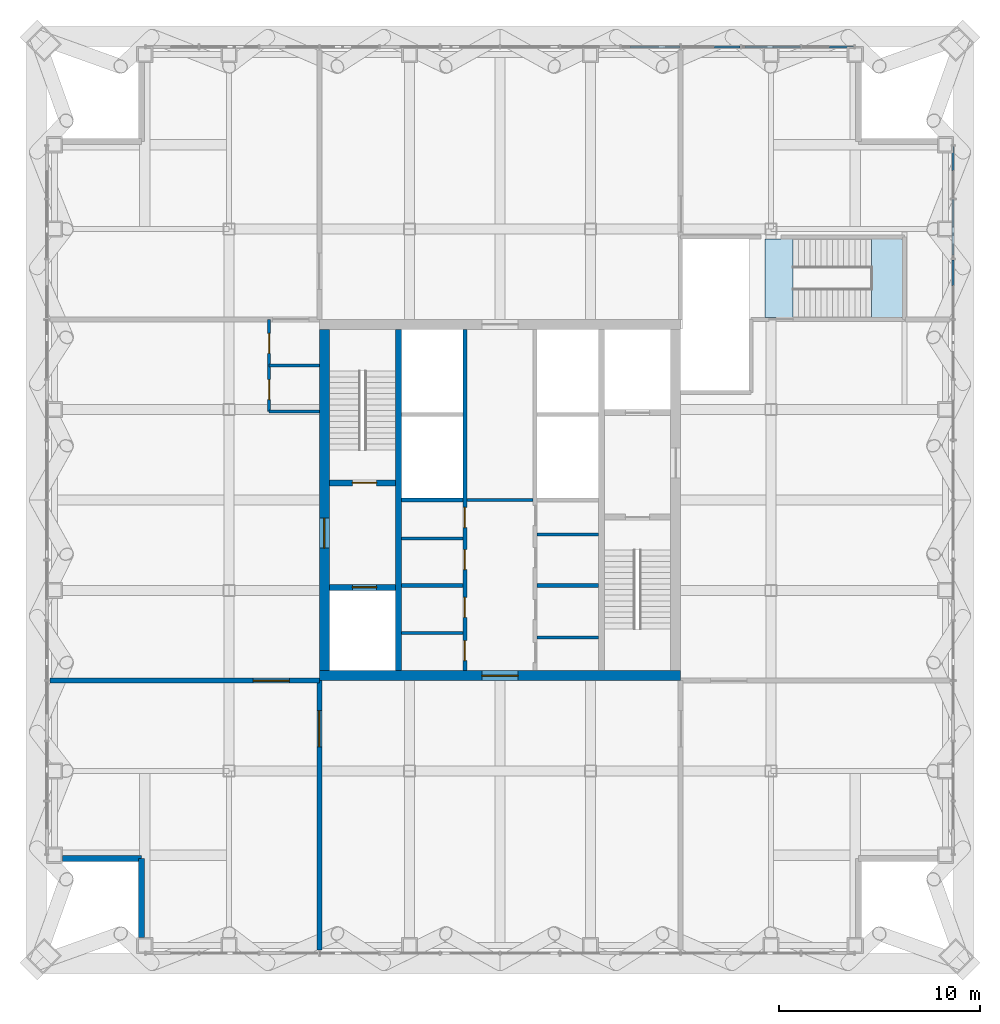
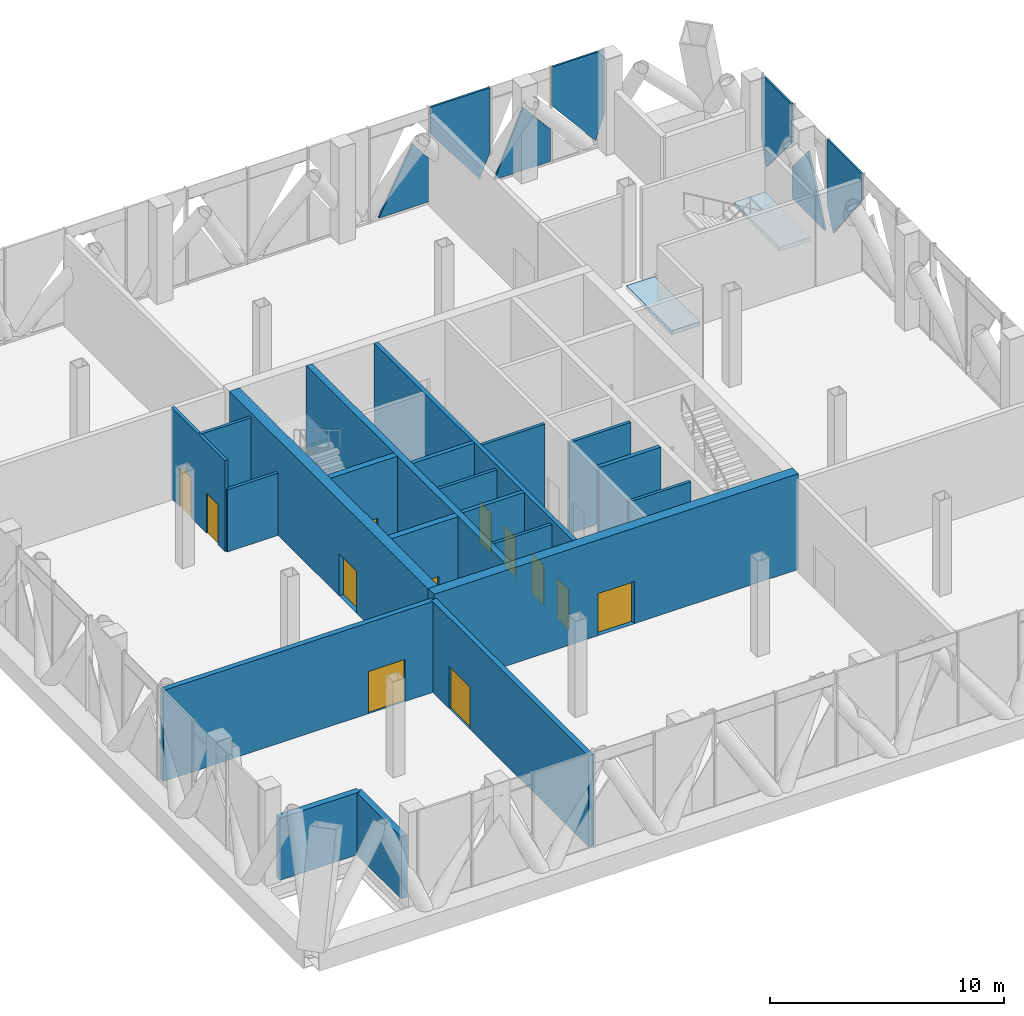
# One storey, part 14 of 27: 21 walls, 12 doors, 7 plates, 2 slabs, 12 openings, 3 elements without a shape of their own.
"""IFC4 building model written with IfcOpenShell, lengths in metres."""

from ifc_helpers import new_model, si_unit, direction, frame, frame_2d, origin, place, context, subcontext, project, spatial, polyline, rectangle, outline, extrude, material, layer, layer_set, type_object, element, fill, aggregate, save


model = new_model("IFC4")

# Units and contexts
model_context = context("Model", 3, precision=1e-05, world=origin(), true_north=direction((0.0, 1.0)))
body_context = subcontext(model_context, "Body", "Model", "MODEL_VIEW")
ifc_project = project(units=[si_unit("LENGTHUNIT", "METRE"), si_unit("AREAUNIT", "SQUARE_METRE"), si_unit("VOLUMEUNIT", "CUBIC_METRE"), si_unit("PLANEANGLEUNIT", "RADIAN"), si_unit("MASSUNIT", "GRAM", prefix="KILO")], contexts=[model_context])

# Site, building, storey
site_placement = place(None, origin())
site = spatial("IfcSite", under=ifc_project, at=site_placement, CompositionType="ELEMENT")
building_placement = place(site_placement, origin())
building = spatial("IfcBuilding", under=site, at=building_placement, Name="Malebo Sky Hospital", CompositionType="ELEMENT")
storey_placement = place(building_placement, frame((0.0, 0.0, 245.0)))
storey = spatial("IfcBuildingStorey", under=building, at=storey_placement, Name="L59", CompositionType="ELEMENT", Elevation=245.0)

# Curtain wall, plates
ifc_material_1 = material(Name="Anodised aluminium, natural silver", Category="aluminium")
ifc_layer_1 = layer(ifc_material_1, 0.25)
ifc_layer_set_1 = layer_set([ifc_layer_1], Name="PLANT LOUVRE SCREEN")
curtain_wall_type = type_object("IfcCurtainWallType", Name="PLANT LOUVRE SCREEN", PredefinedType="NOTDEFINED", material=ifc_layer_set_1)
curtain_wall_1_placement = place(storey_placement, origin())
curtain_wall_1 = element("IfcCurtainWall", 1, at=curtain_wall_1_placement, inside=storey, type_object=curtain_wall_type, Name="PLANT curtain wall N", PredefinedType="NOTDEFINED")
ifc_layer_2 = layer(ifc_material_1, 0.10009765625)
ifc_layer_set_2 = layer_set([ifc_layer_2], Name="LOUVRE PANEL 100")
plate_type = type_object("IfcPlateType", Name="LOUVRE PANEL 100", PredefinedType="CURTAIN_PANEL", material=ifc_layer_set_2)
plate_1_placement = place(storey_placement, frame((67.7255859375, 84.574951171875, 0.10009765625), z_axis=(0.0, 0.0, 1.0), x_axis=(1.0, 0.0, 0.0)))
plate_1 = element("IfcPlate", 2, at=plate_1_placement, type_object=plate_type, Name="Panel 9", PredefinedType="CURTAIN_PANEL", context=body_context, shape_type="SweptSolid", body=[
    extrude(outline(polyline([(-1.237060546875, 0.0), (1.237060546875, 0.0), (1.237060546875, 2.235107421875), (0.44140625, 3.2841796875), (-1.237060546875, 0.0)])), frame((0.0, 0.050048828125, 0.0), z_axis=(0.0, -1.0, 0.0), x_axis=(1.0, 0.0, 0.0)), (0.0, 0.0, 1.0), 0.10009765625),
])
plate_2_placement = place(storey_placement, frame((70.5, 84.574951171875, 0.40185546875), z_axis=(0.0, 0.0, 1.0), x_axis=(1.0, 0.0, 0.0)))
plate_2 = element("IfcPlate", 3, at=plate_2_placement, type_object=plate_type, Name="Panel 10", PredefinedType="CURTAIN_PANEL", context=body_context, shape_type="SweptSolid", body=[
    extrude(outline(polyline([(0.955810546875, 0.0), (1.46240234375, 1.18212890625), (1.46240234375, 4.588134765625), (-1.46240234375, 4.588134765625), (-1.46240234375, 3.189208984375), (0.955810546875, 0.0)])), frame((0.0, 0.050048828125, 0.0), z_axis=(0.0, -1.0, 0.0), x_axis=(1.0, 0.0, 0.0)), (0.0, 0.0, 1.0), 0.10009765625),
])
plate_3_placement = place(storey_placement, frame((73.582275390625, 84.574951171875, 0.10009765625), z_axis=(0.0, 0.0, 1.0), x_axis=(1.0, 0.0, 0.0)))
plate_3 = element("IfcPlate", 4, at=plate_3_placement, type_object=plate_type, Name="Panel 11", PredefinedType="CURTAIN_PANEL", context=body_context, shape_type="SweptSolid", body=[
    extrude(outline(polyline([(-1.380126953125, 0.0), (1.380126953125, 0.0), (1.380126953125, 1.67626953125), (0.027587890625, 3.284912109375), (-1.380126953125, 0.0)])), frame((0.0, 0.050048828125, 0.0), z_axis=(0.0, -1.0, 0.0), x_axis=(1.0, 0.0, 0.0)), (0.0, 0.0, 1.0), 0.10009765625),
])
plate_4_placement = place(storey_placement, frame((76.331298828125, 84.574951171875, 0.39794921875), z_axis=(0.0, 0.0, 1.0), x_axis=(1.0, 0.0, 0.0)))
plate_4 = element("IfcPlate", 5, at=plate_4_placement, type_object=plate_type, Name="Panel 12", PredefinedType="CURTAIN_PANEL", context=body_context, shape_type="SweptSolid", body=[
    extrude(outline(polyline([(0.85595703125, 0.0), (1.293701171875, 1.2646484375), (1.293701171875, 4.592041015625), (-1.293701171875, 4.592041015625), (-1.293701171875, 2.55712890625), (0.85595703125, 0.0)])), frame((0.0, 0.050048828125, 0.0), z_axis=(0.0, -1.0, 0.0), x_axis=(1.0, 0.0, 0.0)), (0.0, 0.0, 1.0), 0.10009765625),
])
aggregate(curtain_wall_1, [plate_1, plate_2, plate_3, plate_4])

curtain_wall_2_placement = place(storey_placement, origin())
curtain_wall_2 = element("IfcCurtainWall", 6, at=curtain_wall_2_placement, inside=storey, type_object=curtain_wall_type, Name="PLANT curtain wall E", PredefinedType="NOTDEFINED")
plate_5_placement = place(storey_placement, frame((82.574951171875, 78.331298828125, 0.39794921875), z_axis=(0.0, 0.0, 1.0), x_axis=(0.0, -1.0, 0.0)))
plate_5 = element("IfcPlate", 7, at=plate_5_placement, type_object=plate_type, Name="Panel 1", PredefinedType="CURTAIN_PANEL", context=body_context, shape_type="SweptSolid", body=[
    extrude(outline(polyline([(-0.85595703125, 0.0), (1.293701171875, 2.55712890625), (1.293701171875, 4.592041015625), (-1.293701171875, 4.592041015625), (-1.293701171875, 1.2646484375), (-0.85595703125, 0.0)])), frame((0.0, 0.050048828125, 0.0), z_axis=(0.0, -1.0, 0.0), x_axis=(1.0, 0.0, 0.0)), (0.0, 0.0, 1.0), 0.10009765625),
])
plate_6_placement = place(storey_placement, frame((82.574951171875, 75.582275390625, 0.10009765625), z_axis=(0.0, 0.0, 1.0), x_axis=(0.0, -1.0, 0.0)))
plate_6 = element("IfcPlate", 8, at=plate_6_placement, type_object=plate_type, Name="Panel 2", PredefinedType="CURTAIN_PANEL", context=body_context, shape_type="SweptSolid", body=[
    extrude(outline(polyline([(-1.380126953125, 0.0), (1.380126953125, 0.0), (-0.027587890625, 3.284912109375), (-1.380126953125, 1.67626953125), (-1.380126953125, 0.0)])), frame((0.0, 0.050048828125, 0.0), z_axis=(0.0, -1.0, 0.0), x_axis=(1.0, 0.0, 0.0)), (0.0, 0.0, 1.0), 0.10009765625),
])
plate_7_placement = place(storey_placement, frame((82.574951171875, 72.5, 0.40185546875), z_axis=(0.0, 0.0, 1.0), x_axis=(0.0, -1.0, 0.0)))
plate_7 = element("IfcPlate", 9, at=plate_7_placement, type_object=plate_type, Name="Panel 3", PredefinedType="CURTAIN_PANEL", context=body_context, shape_type="SweptSolid", body=[
    extrude(outline(polyline([(-0.955810546875, 0.0), (1.46240234375, 3.189208984375), (1.46240234375, 4.588134765625), (-1.46240234375, 4.588134765625), (-1.46240234375, 1.18212890625), (-0.955810546875, 0.0)])), frame((0.0, 0.050048828125, 0.0), z_axis=(0.0, -1.0, 0.0), x_axis=(1.0, 0.0, 0.0)), (0.0, 0.0, 1.0), 0.10009765625),
])
aggregate(curtain_wall_2, [plate_5, plate_6, plate_7])

# Stair, slabs
ifc_material_2 = material(Name="Concrete C40/50", Category="concrete")
stair_type = type_object("IfcStairType", Name="HALF-TURN STAIR 1400 R167", PredefinedType="HALF_TURN_STAIR", material=ifc_material_2)
stair_placement = place(storey_placement, origin())
stair = element("IfcStair", 10, at=stair_placement, inside=storey, type_object=stair_type, Name="Stair S3 L59 type ST1B", PredefinedType="HALF_TURN_STAIR")
ifc_layer_3 = layer(ifc_material_2, 0.199951171875)
ifc_layer_set_3 = layer_set([ifc_layer_3], Name="STAIR LANDING 200")
slab_type = type_object("IfcSlabType", Name="STAIR LANDING 200", PredefinedType="LANDING", material=ifc_layer_set_3)
slab_1_placement = place(storey_placement, frame((0.0, 0.0, -0.199951171875)))
slab_1 = element("IfcSlab", 11, at=slab_1_placement, type_object=slab_type, Name="S3 landing 1", PredefinedType="LANDING", context=body_context, shape_type="SweptSolid", body=[
    extrude(outline(polyline([(73.199951171875, 71.10009765625), (73.199951171875, 75.0), (74.60009765625, 75.0), (74.60009765625, 71.10009765625), (73.199951171875, 71.10009765625)])), origin(), (0.0, 0.0, 1.0), 0.199951171875),
])
slab_2_placement = place(storey_placement, frame((0.0, 0.0, 2.300048828125)))
slab_2 = element("IfcSlab", 12, at=slab_2_placement, type_object=slab_type, Name="S3 landing 2", PredefinedType="LANDING", context=body_context, shape_type="SweptSolid", body=[
    extrude(outline(polyline([(78.52001953125, 71.10009765625), (78.52001953125, 75.0), (80.050048828125, 75.0), (80.050048828125, 71.10009765625), (78.52001953125, 71.10009765625)])), origin(), (0.0, 0.0, 1.0), 0.199951171875),
])
aggregate(stair, [slab_1, slab_2])

# Wall, openings, doors
ifc_material_3 = material(Name="Concrete C80/95", Category="concrete")
ifc_layer_4 = layer(ifc_material_3, 0.199951171875)
ifc_layer_set_4 = layer_set([ifc_layer_4], Name="CORE INNER WALL 200")
wall_type_1 = type_object("IfcWallType", Name="CORE INNER WALL 200", PredefinedType="SHEAR", material=ifc_layer_set_4)
wall_1_placement = place(storey_placement, frame((58.25, 53.5, 0.0), z_axis=(0.0, 0.0, 1.0), x_axis=(0.0, 1.0, 0.0)))
wall_1 = element("IfcWall", 13, at=wall_1_placement, inside=storey, type_object=wall_type_1, Name="Core wall LW L59", PredefinedType="SHEAR", context=body_context, shape_type="SweptSolid", body=[
    extrude(rectangle(XDim=17.0, YDim=0.199951171875, at=frame_2d((8.5, 0.0))), origin(), (0.0, 0.0, 1.0), 5.0),
])
opening_1_placement = place(wall_1_placement, frame((0.49609375, 0.0, 0.0)))
opening_1 = element("IfcOpeningElement", 14, at=opening_1_placement, cuts=wall_1, Name="Opening D17", PredefinedType="OPENING", context=body_context, shape_type="SweptSolid", body=[
    extrude(rectangle(XDim=1.0, YDim=2.10009765625, at=frame_2d((0.5, 1.050048828125))), frame((0.0, 0.10986328125, 0.0), z_axis=(0.0, -1.0, 0.0), x_axis=(1.0, 0.0, 0.0)), (0.0, 0.0, 1.0), 0.219970703125),
])
opening_2_placement = place(wall_1_placement, frame((2.64599609375, 0.0, 0.0)))
opening_2 = element("IfcOpeningElement", 15, at=opening_2_placement, cuts=wall_1, Name="Opening D17", PredefinedType="OPENING", context=body_context, shape_type="SweptSolid", body=[
    extrude(rectangle(XDim=1.0, YDim=2.10009765625, at=frame_2d((0.5, 1.050048828125))), frame((0.0, 0.10986328125, 0.0), z_axis=(0.0, -1.0, 0.0), x_axis=(1.0, 0.0, 0.0)), (0.0, 0.0, 1.0), 0.219970703125),
])
opening_3_placement = place(wall_1_placement, frame((5.026611328125, 0.0, 0.0)))
opening_3 = element("IfcOpeningElement", 16, at=opening_3_placement, cuts=wall_1, Name="Opening D17", PredefinedType="OPENING", context=body_context, shape_type="SweptSolid", body=[
    extrude(rectangle(XDim=1.0, YDim=2.10009765625, at=frame_2d((0.5, 1.050048828125))), frame((0.0, 0.10986328125, 0.0), z_axis=(0.0, -1.0, 0.0), x_axis=(1.0, 0.0, 0.0)), (0.0, 0.0, 1.0), 0.219970703125),
])
opening_4_placement = place(wall_1_placement, frame((7.12646484375, 0.0, 0.0)))
opening_4 = element("IfcOpeningElement", 17, at=opening_4_placement, cuts=wall_1, Name="Opening D17", PredefinedType="OPENING", context=body_context, shape_type="SweptSolid", body=[
    extrude(rectangle(XDim=1.0, YDim=2.10009765625, at=frame_2d((0.5, 1.050048828125))), frame((0.0, 0.10986328125, 0.0), z_axis=(0.0, -1.0, 0.0), x_axis=(1.0, 0.0, 0.0)), (0.0, 0.0, 1.0), 0.219970703125),
])
ifc_material_4 = material(Name="Hardwood-faced door leaf in steel frame", Category="steel")
door_type_1 = type_object("IfcDoorType", Name="FIRE DOOR 1000", OperationType="SINGLE_SWING_LEFT", PredefinedType="DOOR", material=ifc_material_4)
door_1_placement = place(opening_1_placement, origin())
door_1 = element("IfcDoor", 18, at=door_1_placement, inside=storey, type_object=door_type_1, Name="Duct riser room door", OperationType="SINGLE_SWING_RIGHT", OverallHeight=2.10009765625, OverallWidth=1.0, PredefinedType="DOOR", context=body_context, shape_type="SweptSolid", body=[
    extrude(rectangle(XDim=1.0, YDim=2.10009765625, at=frame_2d((0.5, 1.050048828125))), frame((0.0, 0.02490234375, 0.0), z_axis=(0.0, -1.0, 0.0), x_axis=(1.0, 0.0, 0.0)), (0.0, 0.0, 1.0), 0.050048828125),
])
fill(opening_1, door_1)
door_2_placement = place(opening_2_placement, origin())
door_2 = element("IfcDoor", 19, at=door_2_placement, inside=storey, type_object=door_type_1, Name="Pipe riser room door", OperationType="SINGLE_SWING_RIGHT", OverallHeight=2.10009765625, OverallWidth=1.0, PredefinedType="DOOR", context=body_context, shape_type="SweptSolid", body=[
    extrude(rectangle(XDim=1.0, YDim=2.10009765625, at=frame_2d((0.5, 1.050048828125))), frame((0.0, 0.02490234375, 0.0), z_axis=(0.0, -1.0, 0.0), x_axis=(1.0, 0.0, 0.0)), (0.0, 0.0, 1.0), 0.050048828125),
])
fill(opening_2, door_2)
door_3_placement = place(opening_3_placement, origin())
door_3 = element("IfcDoor", 20, at=door_3_placement, inside=storey, type_object=door_type_1, Name="Cable riser room door", OperationType="SINGLE_SWING_RIGHT", OverallHeight=2.10009765625, OverallWidth=1.0, PredefinedType="DOOR", context=body_context, shape_type="SweptSolid", body=[
    extrude(rectangle(XDim=1.0, YDim=2.10009765625, at=frame_2d((0.5, 1.050048828125))), frame((0.0, 0.02490234375, 0.0), z_axis=(0.0, -1.0, 0.0), x_axis=(1.0, 0.0, 0.0)), (0.0, 0.0, 1.0), 0.050048828125),
])
fill(opening_3, door_3)
door_4_placement = place(opening_4_placement, origin())
door_4 = element("IfcDoor", 21, at=door_4_placement, inside=storey, type_object=door_type_1, Name="Duct riser room door", OperationType="SINGLE_SWING_RIGHT", OverallHeight=2.10009765625, OverallWidth=1.0, PredefinedType="DOOR", context=body_context, shape_type="SweptSolid", body=[
    extrude(rectangle(XDim=1.0, YDim=2.10009765625, at=frame_2d((0.5, 1.050048828125))), frame((0.0, 0.02490234375, 0.0), z_axis=(0.0, -1.0, 0.0), x_axis=(1.0, 0.0, 0.0)), (0.0, 0.0, 1.0), 0.050048828125),
])
fill(opening_4, door_4)

# Walls
for number, where, z_axis, x_axis, name in (
    (22, (55.10009765625, 57.75, 0.0), (0.0, 0.0, 1.0), (1.0, 0.0, 0.0), "Core wall SW0 L59"),
    (23, (61.85009765625, 57.75, 0.0), (0.0, 0.0, 1.0), (1.0, 0.0, 0.0), "Core wall SE0 L59"),
    (24, (55.10009765625, 62.0, 0.0), (0.0, 0.0, 1.0), (1.0, 0.0, 0.0), "Core wall SW1 L59"),
):
    element("IfcWall", number, at=place(storey_placement, frame(where, z_axis=z_axis, x_axis=x_axis)), inside=storey, type_object=wall_type_1, Name=name, PredefinedType="SHEAR", context=body_context, shape_type="SweptSolid", body=[
        extrude(rectangle(XDim=3.0498046875, YDim=0.199951171875, at=frame_2d((1.52490234375, 0.0))), origin(), (0.0, 0.0, 1.0), 5.0),
    ])
ifc_layer_5 = layer(ifc_material_3, 0.300048828125)
ifc_layer_set_5 = layer_set([ifc_layer_5], Name="CORE INNER WALL 300")
wall_type_2 = type_object("IfcWallType", Name="CORE INNER WALL 300", PredefinedType="SHEAR", material=ifc_layer_set_5)
wall_2_placement = place(storey_placement, frame((54.949951171875, 53.5, 0.0), z_axis=(0.0, 0.0, 1.0), x_axis=(0.0, 1.0, 0.0)))
element("IfcWall", 25, at=wall_2_placement, inside=storey, type_object=wall_type_2, Name="Core wall XW L59", PredefinedType="SHEAR", context=body_context, shape_type="SweptSolid", body=[
    extrude(rectangle(XDim=17.0, YDim=0.300048828125, at=frame_2d((8.5, 0.0))), origin(), (0.0, 0.0, 1.0), 5.0),
])

# Wall, opening, door
wall_3_placement = place(storey_placement, frame((51.5, 62.85009765625, 0.0), z_axis=(0.0, 0.0, 1.0), x_axis=(1.0, 0.0, 0.0)))
wall_3 = element("IfcWall", 26, at=wall_3_placement, inside=storey, type_object=wall_type_2, Name="Core wall W1 L59", PredefinedType="SHEAR", context=body_context, shape_type="SweptSolid", body=[
    extrude(rectangle(XDim=3.300048828125, YDim=0.300048828125, at=frame_2d((1.64990234375, 0.0))), origin(), (0.0, 0.0, 1.0), 5.0),
])
opening_5_placement = place(wall_3_placement, frame((1.14990234375, 0.0, 0.0)))
opening_5 = element("IfcOpeningElement", 27, at=opening_5_placement, cuts=wall_3, Name="Opening D08", PredefinedType="OPENING", context=body_context, shape_type="SweptSolid", body=[
    extrude(rectangle(XDim=1.199951171875, YDim=2.10009765625, at=frame_2d((0.60009765625, 1.050048828125))), frame((0.0, 0.159912109375, 0.0), z_axis=(0.0, -1.0, 0.0), x_axis=(1.0, 0.0, 0.0)), (0.0, 0.0, 1.0), 0.320068359375),
])
door_type_2 = type_object("IfcDoorType", Name="STAIR DOOR 1200", OperationType="SINGLE_SWING_LEFT", PredefinedType="DOOR", material=ifc_material_4)
door_5_placement = place(opening_5_placement, origin())
door_5 = element("IfcDoor", 28, at=door_5_placement, inside=storey, type_object=door_type_2, Name="Stair S1 door", OperationType="SINGLE_SWING_RIGHT", OverallHeight=2.10009765625, OverallWidth=1.199951171875, PredefinedType="DOOR", context=body_context, shape_type="SweptSolid", body=[
    extrude(rectangle(XDim=1.199951171875, YDim=2.10009765625, at=frame_2d((0.60009765625, 1.050048828125))), frame((0.0, 0.02490234375, 0.0), z_axis=(0.0, -1.0, 0.0), x_axis=(1.0, 0.0, 0.0)), (0.0, 0.0, 1.0), 0.050048828125),
])
fill(opening_5, door_5)

wall_4_placement = place(storey_placement, frame((51.5, 57.64990234375, 0.0), z_axis=(0.0, 0.0, 1.0), x_axis=(1.0, 0.0, 0.0)))
wall_4 = element("IfcWall", 29, at=wall_4_placement, inside=storey, type_object=wall_type_2, Name="Core wall W2 L59", PredefinedType="SHEAR", context=body_context, shape_type="SweptSolid", body=[
    extrude(rectangle(XDim=3.300048828125, YDim=0.300048828125, at=frame_2d((1.64990234375, 0.0))), origin(), (0.0, 0.0, 1.0), 5.0),
])
opening_6_placement = place(wall_4_placement, frame((1.14990234375, 0.0, 0.0)))
opening_6 = element("IfcOpeningElement", 30, at=opening_6_placement, cuts=wall_4, Name="Opening LD2", PredefinedType="OPENING", context=body_context, shape_type="SweptSolid", body=[
    extrude(rectangle(XDim=1.199951171875, YDim=2.199951171875, at=frame_2d((0.60009765625, 1.10009765625))), frame((0.0, 0.159912109375, 0.0), z_axis=(0.0, -1.0, 0.0), x_axis=(1.0, 0.0, 0.0)), (0.0, 0.0, 1.0), 0.320068359375),
])
ifc_material_5 = material(Name="Stainless steel sliding landing door", Category="steel")
door_type_3 = type_object("IfcDoorType", Name="FIRE-FIGHTING LIFT LANDING DOOR 1200", OperationType="SLIDING_TO_LEFT", PredefinedType="DOOR", material=ifc_material_5)
door_6_placement = place(opening_6_placement, origin())
door_6 = element("IfcDoor", 31, at=door_6_placement, inside=storey, type_object=door_type_3, Name="Lift FL1 landing door", OperationType="SLIDING_TO_LEFT", OverallHeight=2.199951171875, OverallWidth=1.199951171875, PredefinedType="DOOR", context=body_context, shape_type="SweptSolid", body=[
    extrude(rectangle(XDim=1.199951171875, YDim=2.199951171875, at=frame_2d((0.60009765625, 1.10009765625))), frame((0.0, 0.02490234375, 0.0), z_axis=(0.0, -1.0, 0.0), x_axis=(1.0, 0.0, 0.0)), (0.0, 0.0, 1.0), 0.050048828125),
])
fill(opening_6, door_6)

ifc_layer_6 = layer(ifc_material_3, 0.5)
ifc_layer_set_6 = layer_set([ifc_layer_6], Name="CORE WALL 500")
wall_type_3 = type_object("IfcWallType", Name="CORE WALL 500", PredefinedType="SHEAR", material=ifc_layer_set_6)
wall_5_placement = place(storey_placement, frame((51.0, 53.25, 0.0), z_axis=(0.0, 0.0, 1.0), x_axis=(1.0, 0.0, 0.0)))
wall_5 = element("IfcWall", 32, at=wall_5_placement, inside=storey, type_object=wall_type_3, Name="Core wall S L59", PredefinedType="SHEAR", context=body_context, shape_type="SweptSolid", body=[
    extrude(rectangle(XDim=18.0, YDim=0.5, at=frame_2d((9.0, 0.0))), origin(), (0.0, 0.0, 1.0), 5.0),
])
opening_7_placement = place(wall_5_placement, frame((8.10009765625, 0.0, 0.0)))
opening_7 = element("IfcOpeningElement", 33, at=opening_7_placement, cuts=wall_5, Name="Opening D06", PredefinedType="OPENING", context=body_context, shape_type="SweptSolid", body=[
    extrude(rectangle(XDim=1.800048828125, YDim=2.199951171875, at=frame_2d((0.89990234375, 1.10009765625))), frame((0.0, 0.260009765625, 0.0), z_axis=(0.0, -1.0, 0.0), x_axis=(1.0, 0.0, 0.0)), (0.0, 0.0, 1.0), 0.52001953125),
])
door_type_4 = type_object("IfcDoorType", Name="LOBBY DOOR PAIR 1800", OperationType="DOUBLE_DOOR_SINGLE_SWING", PredefinedType="DOOR", material=ifc_material_4)
door_7_placement = place(opening_7_placement, origin())
door_7 = element("IfcDoor", 34, at=door_7_placement, inside=storey, type_object=door_type_4, Name="Core plant room door", OperationType="DOUBLE_DOOR_SINGLE_SWING", OverallHeight=2.199951171875, OverallWidth=1.800048828125, PredefinedType="DOOR", context=body_context, shape_type="SweptSolid", body=[
    extrude(rectangle(XDim=1.800048828125, YDim=2.199951171875, at=frame_2d((0.89990234375, 1.10009765625))), frame((0.0, 0.02490234375, 0.0), z_axis=(0.0, -1.0, 0.0), x_axis=(1.0, 0.0, 0.0)), (0.0, 0.0, 1.0), 0.050048828125),
])
fill(opening_7, door_7)

wall_6_placement = place(storey_placement, frame((51.25, 53.5, 0.0), z_axis=(0.0, 0.0, 1.0), x_axis=(0.0, 1.0, 0.0)))
wall_6 = element("IfcWall", 35, at=wall_6_placement, inside=storey, type_object=wall_type_3, Name="Core wall W L59", PredefinedType="SHEAR", context=body_context, shape_type="SweptSolid", body=[
    extrude(rectangle(XDim=17.0, YDim=0.5, at=frame_2d((8.5, 0.0))), origin(), (0.0, 0.0, 1.0), 5.0),
])
opening_8_placement = place(wall_6_placement, frame((6.10009765625, 0.0, 0.0)))
opening_8 = element("IfcOpeningElement", 36, at=opening_8_placement, cuts=wall_6, Name="Opening D07", PredefinedType="OPENING", context=body_context, shape_type="SweptSolid", body=[
    extrude(rectangle(XDim=1.5, YDim=2.199951171875, at=frame_2d((0.75, 1.10009765625))), frame((0.0, 0.260009765625, 0.0), z_axis=(0.0, -1.0, 0.0), x_axis=(1.0, 0.0, 0.0)), (0.0, 0.0, 1.0), 0.52001953125),
])
door_type_5 = type_object("IfcDoorType", Name="FIRE-FIGHTING LOBBY DOOR PAIR 1500", OperationType="DOUBLE_DOOR_SINGLE_SWING", PredefinedType="DOOR", material=ifc_material_4)
door_8_placement = place(opening_8_placement, origin())
door_8 = element("IfcDoor", 37, at=door_8_placement, inside=storey, type_object=door_type_5, Name="Fire-fighting lobby door west", OperationType="DOUBLE_DOOR_SINGLE_SWING", OverallHeight=2.199951171875, OverallWidth=1.5, PredefinedType="DOOR", context=body_context, shape_type="SweptSolid", body=[
    extrude(rectangle(XDim=1.5, YDim=2.199951171875, at=frame_2d((0.75, 1.10009765625))), frame((0.0, 0.02490234375, 0.0), z_axis=(0.0, -1.0, 0.0), x_axis=(1.0, 0.0, 0.0)), (0.0, 0.0, 1.0), 0.050048828125),
])
fill(opening_8, door_8)

# Walls
ifc_material_6 = material(Name="Anodised aluminium rainscreen on steel framing", Category="steel")
ifc_layer_7 = layer(ifc_material_6, 0.300048828125)
ifc_layer_set_7 = layer_set([ifc_layer_7], Name="NOTCH RAINSCREEN WALL 300")
wall_type_4 = type_object("IfcWallType", Name="NOTCH RAINSCREEN WALL 300", PredefinedType="ELEMENTEDWALL", material=ifc_layer_set_7)
for number, where, z_axis, x_axis, name in (
    (38, (42.14990234375, 40.199951171875, 0.0), (0.0, 0.0, 1.0), (0.0, 1.0, 0.0), "Notch rainscreen wall S1 L59"),
    (39, (42.14990234375, 44.14990234375, 0.0), (0.0, 0.0, 1.0), (-1.0, 0.0, 0.0), "Notch rainscreen wall S2 L59"),
):
    element("IfcWall", number, at=place(storey_placement, frame(where, z_axis=z_axis, x_axis=x_axis)), inside=storey, type_object=wall_type_4, Name=name, PredefinedType="ELEMENTEDWALL", context=body_context, shape_type="SweptSolid", body=[
        extrude(rectangle(XDim=3.949951171875, YDim=0.300048828125, at=frame_2d((1.97509765625, 0.0))), origin(), (0.0, 0.0, 1.0), 3.25),
    ])

# Wall, openings, doors
ifc_material_7 = material(Name="Gypsum board on steel studs", Category="steel")
ifc_layer_8 = layer(ifc_material_7, 0.14990234375)
ifc_layer_set_8 = layer_set([ifc_layer_8], Name="PARTITION 150")
wall_type_5 = type_object("IfcWallType", Name="PARTITION 150", PredefinedType="PARTITIONING", material=ifc_layer_set_8)
wall_7_placement = place(storey_placement, frame((48.5, 66.39990234375, 0.0), z_axis=(0.0, 0.0, 1.0), x_axis=(0.0, 1.0, 0.0)))
wall_7 = element("IfcWall", 40, at=wall_7_placement, inside=storey, type_object=wall_type_5, Name="Partition 150 WCF", PredefinedType="PARTITIONING", context=body_context, shape_type="SweptSolid", body=[
    extrude(rectangle(XDim=4.60009765625, YDim=0.14990234375, at=frame_2d((2.300048828125, 0.0))), origin(), (0.0, 0.0, 1.0), 4.75),
])
opening_9_placement = place(wall_7_placement, frame((0.60009765625, 0.0, 0.0)))
opening_9 = element("IfcOpeningElement", 41, at=opening_9_placement, cuts=wall_7, Name="Opening D03", PredefinedType="OPENING", context=body_context, shape_type="SweptSolid", body=[
    extrude(rectangle(XDim=1.0, YDim=2.10009765625, at=frame_2d((0.5, 1.050048828125))), frame((0.0, 0.0849609375, 0.0), z_axis=(0.0, -1.0, 0.0), x_axis=(1.0, 0.0, 0.0)), (0.0, 0.0, 1.0), 0.169921875),
])
opening_10_placement = place(wall_7_placement, frame((2.89990234375, 0.0, 0.0)))
opening_10 = element("IfcOpeningElement", 42, at=opening_10_placement, cuts=wall_7, Name="Opening D03", PredefinedType="OPENING", context=body_context, shape_type="SweptSolid", body=[
    extrude(rectangle(XDim=1.0, YDim=2.10009765625, at=frame_2d((0.5, 1.050048828125))), frame((0.0, 0.0849609375, 0.0), z_axis=(0.0, -1.0, 0.0), x_axis=(1.0, 0.0, 0.0)), (0.0, 0.0, 1.0), 0.169921875),
])
door_type_6 = type_object("IfcDoorType", Name="ROOM DOOR 1000", OperationType="SINGLE_SWING_LEFT", PredefinedType="DOOR", material=ifc_material_4)
door_9_placement = place(opening_9_placement, origin())
door_9 = element("IfcDoor", 43, at=door_9_placement, inside=storey, type_object=door_type_6, Name="Staff WC door", OperationType="SINGLE_SWING_LEFT", OverallHeight=2.10009765625, OverallWidth=1.0, PredefinedType="DOOR", context=body_context, shape_type="SweptSolid", body=[
    extrude(rectangle(XDim=1.0, YDim=2.10009765625, at=frame_2d((0.5, 1.050048828125))), frame((0.0, 0.02490234375, 0.0), z_axis=(0.0, -1.0, 0.0), x_axis=(1.0, 0.0, 0.0)), (0.0, 0.0, 1.0), 0.050048828125),
])
fill(opening_9, door_9)
door_10_placement = place(opening_10_placement, origin())
door_10 = element("IfcDoor", 44, at=door_10_placement, inside=storey, type_object=door_type_6, Name="Accessible WC door", OperationType="SINGLE_SWING_LEFT", OverallHeight=2.10009765625, OverallWidth=1.0, PredefinedType="DOOR", context=body_context, shape_type="SweptSolid", body=[
    extrude(rectangle(XDim=1.0, YDim=2.10009765625, at=frame_2d((0.5, 1.050048828125))), frame((0.0, 0.02490234375, 0.0), z_axis=(0.0, -1.0, 0.0), x_axis=(1.0, 0.0, 0.0)), (0.0, 0.0, 1.0), 0.050048828125),
])
fill(opening_10, door_10)

# Walls
wall_8_placement = place(storey_placement, frame((51.0, 66.39990234375, 0.0), z_axis=(0.0, 0.0, 1.0), x_axis=(-1.0, 0.0, 0.0)))
element("IfcWall", 45, at=wall_8_placement, inside=storey, type_object=wall_type_5, Name="Partition 150 WCE", PredefinedType="PARTITIONING", context=body_context, shape_type="SweptSolid", body=[
    extrude(rectangle(XDim=2.5, YDim=0.14990234375, at=frame_2d((1.25, 0.0))), origin(), (0.0, 0.0, 1.0), 3.25),
])
wall_9_placement = place(storey_placement, frame((51.0, 68.699951171875, 0.0), z_axis=(0.0, 0.0, 1.0), x_axis=(-1.0, 0.0, 0.0)))
element("IfcWall", 46, at=wall_9_placement, inside=storey, type_object=wall_type_5, Name="Partition 150 WCM", PredefinedType="PARTITIONING", context=body_context, shape_type="SweptSolid", body=[
    extrude(rectangle(XDim=2.5, YDim=0.14990234375, at=frame_2d((1.25, 0.0))), origin(), (0.0, 0.0, 1.0), 4.75),
])
for number, where, z_axis, x_axis, name in (
    (47, (55.10009765625, 55.366943359375, 0.0), (0.0, 0.0, 1.0), (1.0, 0.0, 0.0), "Partition 150 SHW1"),
    (48, (61.85009765625, 55.159912109375, 0.0), (0.0, 0.0, 1.0), (1.0, 0.0, 0.0), "Partition 150 SHE1"),
    (49, (55.10009765625, 60.077880859375, 0.0), (0.0, 0.0, 1.0), (1.0, 0.0, 0.0), "Partition 150 SHW2"),
    (50, (61.85009765625, 60.280029296875, 0.0), (0.0, 0.0, 1.0), (1.0, 0.0, 0.0), "Partition 150 SHE2"),
):
    element("IfcWall", number, at=place(storey_placement, frame(where, z_axis=z_axis, x_axis=x_axis)), inside=storey, type_object=wall_type_5, Name=name, PredefinedType="PARTITIONING", context=body_context, shape_type="SweptSolid", body=[
        extrude(rectangle(XDim=3.0498046875, YDim=0.14990234375, at=frame_2d((1.52490234375, 0.0))), origin(), (0.0, 0.0, 1.0), 4.75),
    ])
wall_10_placement = place(storey_placement, frame((58.35009765625, 62.0, 0.0), z_axis=(0.0, 0.0, 1.0), x_axis=(1.0, 0.0, 0.0)))
element("IfcWall", 51, at=wall_10_placement, inside=storey, type_object=wall_type_5, Name="Partition 150 LB", PredefinedType="PARTITIONING", context=body_context, shape_type="SweptSolid", body=[
    extrude(rectangle(XDim=3.2998046875, YDim=0.14990234375, at=frame_2d((1.64990234375, 0.0))), origin(), (0.0, 0.0, 1.0), 4.75),
])

# Wall, opening, door
ifc_material_8 = material(Name="Concrete blockwork", Category="masonry")
ifc_layer_9 = layer(ifc_material_8, 0.25)
ifc_layer_set_9 = layer_set([ifc_layer_9], Name="PLANT ROOM WALL 250")
wall_type_6 = type_object("IfcWallType", Name="PLANT ROOM WALL 250", PredefinedType="SOLIDWALL", material=ifc_layer_set_9)
wall_11_placement = place(storey_placement, frame((51.0, 53.0, 0.0), z_axis=(0.0, 0.0, 1.0), x_axis=(-1.0, 0.0, 0.0)))
wall_11 = element("IfcWall", 52, at=wall_11_placement, inside=storey, type_object=wall_type_6, Name="Plant Room Wall 250 WP8", PredefinedType="SOLIDWALL", context=body_context, shape_type="SweptSolid", body=[
    extrude(rectangle(XDim=13.425048828125, YDim=0.25, at=frame_2d((6.71240234375, 0.0))), origin(), (0.0, 0.0, 1.0), 4.75),
])
opening_11_placement = place(wall_11_placement, frame((1.5, 0.0, 0.0)))
opening_11 = element("IfcOpeningElement", 53, at=opening_11_placement, cuts=wall_11, Name="Opening D09", PredefinedType="OPENING", context=body_context, shape_type="SweptSolid", body=[
    extrude(rectangle(XDim=1.800048828125, YDim=2.199951171875, at=frame_2d((0.89990234375, 1.10009765625))), frame((0.0, 0.135009765625, 0.0), z_axis=(0.0, -1.0, 0.0), x_axis=(1.0, 0.0, 0.0)), (0.0, 0.0, 1.0), 0.27001953125),
])
door_type_7 = type_object("IfcDoorType", Name="PLANT ROOM DOOR PAIR 1800", OperationType="DOUBLE_DOOR_SINGLE_SWING", PredefinedType="DOOR", material=ifc_material_4)
door_11_placement = place(opening_11_placement, origin())
door_11 = element("IfcDoor", 54, at=door_11_placement, inside=storey, type_object=door_type_7, Name="Refuge area west door", OperationType="DOUBLE_DOOR_SINGLE_SWING", OverallHeight=2.199951171875, OverallWidth=1.800048828125, PredefinedType="DOOR", context=body_context, shape_type="SweptSolid", body=[
    extrude(rectangle(XDim=1.800048828125, YDim=2.199951171875, at=frame_2d((0.89990234375, 1.10009765625))), frame((0.0, 0.02490234375, 0.0), z_axis=(0.0, -1.0, 0.0), x_axis=(1.0, 0.0, 0.0)), (0.0, 0.0, 1.0), 0.050048828125),
])
fill(opening_11, door_11)

wall_12_placement = place(storey_placement, frame((51.0, 53.0, 0.0), z_axis=(0.0, 0.0, 1.0), x_axis=(0.0, -1.0, 0.0)))
wall_12 = element("IfcWall", 55, at=wall_12_placement, inside=storey, type_object=wall_type_6, Name="Plant Room Wall 250 SP9", PredefinedType="SOLIDWALL", context=body_context, shape_type="SweptSolid", body=[
    extrude(rectangle(XDim=13.425048828125, YDim=0.25, at=frame_2d((6.71240234375, 0.0))), origin(), (0.0, 0.0, 1.0), 4.75),
])
opening_12_placement = place(wall_12_placement, frame((1.5, 0.0, 0.0)))
opening_12 = element("IfcOpeningElement", 56, at=opening_12_placement, cuts=wall_12, Name="Opening D09", PredefinedType="OPENING", context=body_context, shape_type="SweptSolid", body=[
    extrude(rectangle(XDim=1.800048828125, YDim=2.199951171875, at=frame_2d((0.89990234375, 1.10009765625))), frame((0.0, 0.135009765625, 0.0), z_axis=(0.0, -1.0, 0.0), x_axis=(1.0, 0.0, 0.0)), (0.0, 0.0, 1.0), 0.27001953125),
])
door_12_placement = place(opening_12_placement, origin())
door_12 = element("IfcDoor", 57, at=door_12_placement, inside=storey, type_object=door_type_7, Name="Electrical switch room door", OperationType="DOUBLE_DOOR_SINGLE_SWING", OverallHeight=2.199951171875, OverallWidth=1.800048828125, PredefinedType="DOOR", context=body_context, shape_type="SweptSolid", body=[
    extrude(rectangle(XDim=1.800048828125, YDim=2.199951171875, at=frame_2d((0.89990234375, 1.10009765625))), frame((0.0, 0.02490234375, 0.0), z_axis=(0.0, -1.0, 0.0), x_axis=(1.0, 0.0, 0.0)), (0.0, 0.0, 1.0), 0.050048828125),
])
fill(opening_12, door_12)

save(model, "model.ifc")
